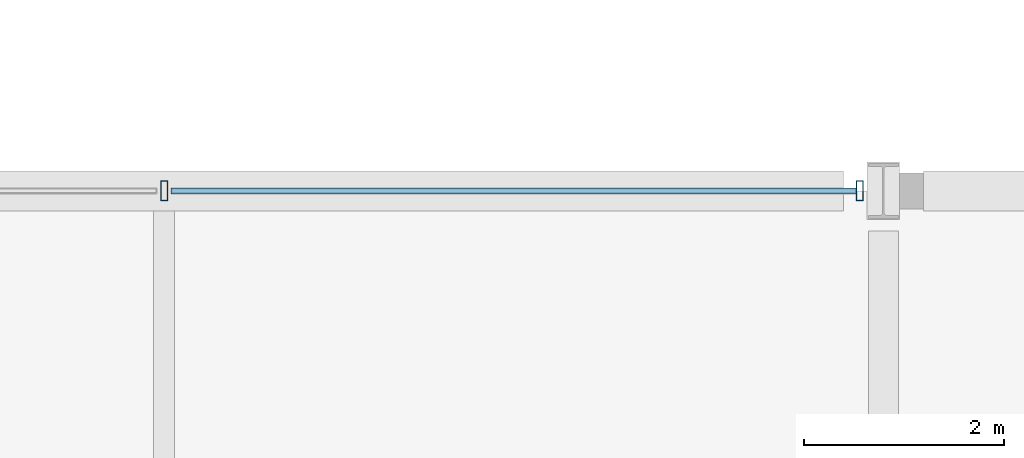
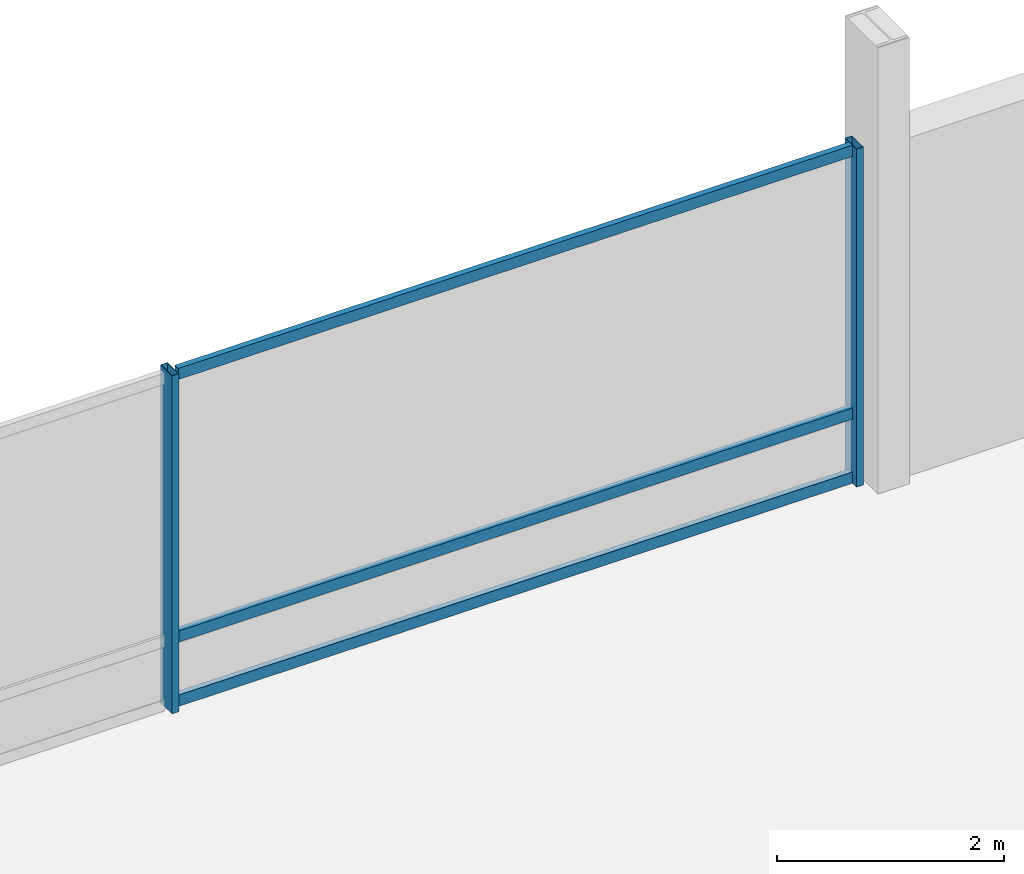
# One storey, part 125 of 220: 5 members, 1 element without a shape of its own.
"""IFC4 building model written with IfcOpenShell, lengths in metres."""

from ifc_helpers import new_model, si_unit, direction, frame, origin, origin_2d, place, context, subcontext, project, spatial, hollow_rectangle, extrude, material, material_profile, profile_set, type_object, element, aggregate, save


model = new_model("IFC4")

# Units and contexts
model_context = context("Model", 3, precision=1e-05, world=origin(), true_north=direction((0.0, 1.0)))
body_context = subcontext(model_context, "Body", "Model", "MODEL_VIEW")
ifc_project = project(units=[si_unit("LENGTHUNIT", "METRE"), si_unit("AREAUNIT", "SQUARE_METRE"), si_unit("VOLUMEUNIT", "CUBIC_METRE"), si_unit("PLANEANGLEUNIT", "RADIAN"), si_unit("MASSUNIT", "GRAM", prefix="KILO")], contexts=[model_context])

# Site, building, storey
site_placement = place(None, origin())
site = spatial("IfcSite", under=ifc_project, at=site_placement, CompositionType="ELEMENT")
building_placement = place(site_placement, origin())
building = spatial("IfcBuilding", under=site, at=building_placement, Name="Cendralis Lancet Convention Centre", CompositionType="ELEMENT")
storey_placement = place(building_placement, frame((0.0, 0.0, 5.39990234375)))
storey = spatial("IfcBuildingStorey", under=building, at=storey_placement, Name="L01", CompositionType="ELEMENT", Elevation=5.39990234375)

# Curtain wall, members
ifc_material = material(Name="Anodised bronze architectural aluminium", Category="aluminium")
curtain_wall_type = type_object("IfcCurtainWallType", Name="ARC-CW-BL01", PredefinedType="USERDEFINED", material=ifc_material)
curtain_wall_placement = place(storey_placement, origin())
curtain_wall = element("IfcCurtainWall", 1, at=curtain_wall_placement, inside=storey, type_object=curtain_wall_type, Name="L01 Curtain Wall CW-BL1 #148", ObjectType="CURTAIN WALL", PredefinedType="USERDEFINED")
ifc_material_profile_1 = material_profile(ifc_material, hollow_rectangle(XDim=0.070068359375, YDim=0.199951171875, WallThickness=0.0048828125, at=origin_2d()), Name="AL-MULL 70x200x5.0")
ifc_profile_set_1 = profile_set([ifc_material_profile_1], Name="Anodised bronze architectural aluminium")
member_type_1 = type_object("IfcMemberType", Name="ARC-CW-ML02", PredefinedType="MULLION", material=ifc_profile_set_1)
member_1_placement = place(storey_placement, frame((160.800048828125, 136.800048828125, 0.0), z_axis=(0.0, 0.0, 1.0), x_axis=(1.0, 0.0, 0.0)))
member_1 = element("IfcMember", 2, at=member_1_placement, type_object=member_type_1, Name="Mullion CW2-CW-BL1-L01-148-M1", PredefinedType="MULLION", context=body_context, shape_type="SweptSolid", body=[
    extrude(hollow_rectangle(XDim=0.070068359375, YDim=0.199951171875, WallThickness=0.0048828125, at=origin_2d()), origin(), (0.0, 0.0, 1.0), 3.635009765625),
])
member_2_placement = place(storey_placement, frame((167.764892578125, 136.800048828125, 0.0), z_axis=(0.0, 0.0, 1.0), x_axis=(1.0, 0.0, 0.0)))
member_2 = element("IfcMember", 3, at=member_2_placement, type_object=member_type_1, Name="Mullion CW2-CW-BL1-L01-148-M2", PredefinedType="MULLION", context=body_context, shape_type="SweptSolid", body=[
    extrude(hollow_rectangle(XDim=0.070068359375, YDim=0.199951171875, WallThickness=0.0048828125, at=origin_2d()), origin(), (0.0, 0.0, 1.0), 3.635009765625),
])
ifc_material_profile_2 = material_profile(ifc_material, hollow_rectangle(XDim=0.06005859375, YDim=0.1201171875, WallThickness=0.00390625, at=origin_2d()), Name="AL-TRAN 60x120x4.0")
ifc_profile_set_2 = profile_set([ifc_material_profile_2], Name="Anodised bronze architectural aluminium")
member_type_2 = type_object("IfcMemberType", Name="ARC-CW-TR01", PredefinedType="USERDEFINED", material=ifc_profile_set_2)
member_3_placement = place(storey_placement, frame((160.8701171875, 136.800048828125, 0.06005859375), z_axis=(1.0, 0.0, 0.0), x_axis=(0.0, 1.0, 0.0)))
member_3 = element("IfcMember", 4, at=member_3_placement, type_object=member_type_2, Name="Transom CW2-CW-BL1-L01-148-T1BOT", ObjectType="TRANSOM", PredefinedType="USERDEFINED", context=body_context, shape_type="SweptSolid", body=[
    extrude(hollow_rectangle(XDim=0.06005859375, YDim=0.1201171875, WallThickness=0.00390625, at=origin_2d()), origin(), (0.0, 0.0, 1.0), 6.85986328125),
])
member_4_placement = place(storey_placement, frame((160.8701171875, 136.800048828125, 0.75), z_axis=(1.0, 0.0, 0.0), x_axis=(0.0, 1.0, 0.0)))
member_4 = element("IfcMember", 5, at=member_4_placement, type_object=member_type_2, Name="Transom CW2-CW-BL1-L01-148-T1MID", ObjectType="TRANSOM", PredefinedType="USERDEFINED", context=body_context, shape_type="SweptSolid", body=[
    extrude(hollow_rectangle(XDim=0.06005859375, YDim=0.1201171875, WallThickness=0.00390625, at=origin_2d()), origin(), (0.0, 0.0, 1.0), 6.85986328125),
])
member_5_placement = place(storey_placement, frame((160.8701171875, 136.800048828125, 3.5751953125), z_axis=(1.0, 0.0, 0.0), x_axis=(0.0, 1.0, 0.0)))
member_5 = element("IfcMember", 6, at=member_5_placement, type_object=member_type_2, Name="Transom CW2-CW-BL1-L01-148-T1TOP", ObjectType="TRANSOM", PredefinedType="USERDEFINED", context=body_context, shape_type="SweptSolid", body=[
    extrude(hollow_rectangle(XDim=0.06005859375, YDim=0.1201171875, WallThickness=0.00390625, at=origin_2d()), origin(), (0.0, 0.0, 1.0), 6.85986328125),
])
aggregate(curtain_wall, [member_1, member_2, member_3, member_4, member_5])

save(model, "model.ifc")
